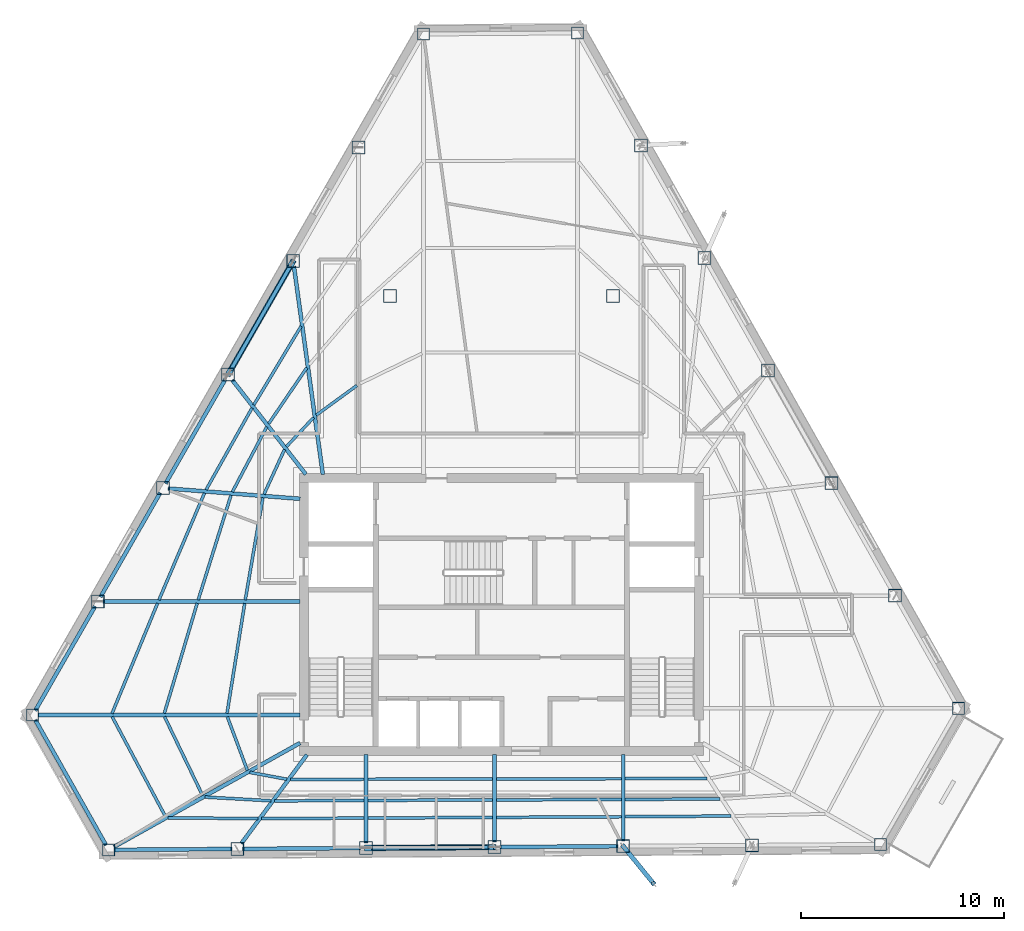
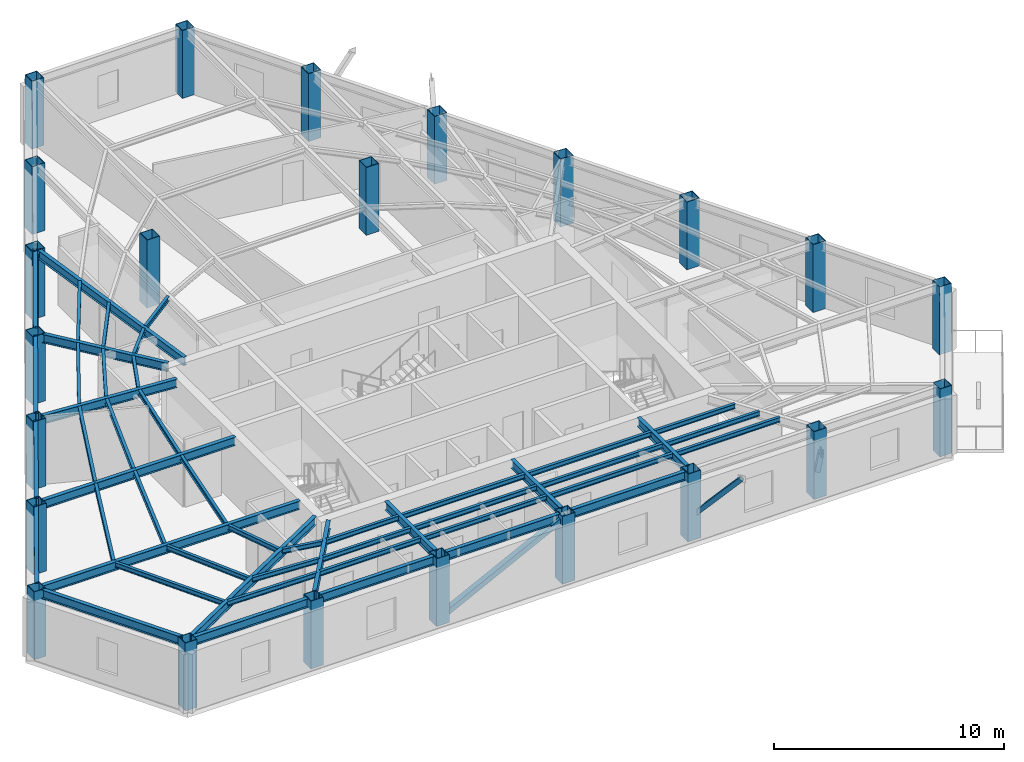
# One storey, part 1 of 12: 50 beams, 23 columns, 3 members.
"""IFC4 building model written with IfcOpenShell, lengths in metres."""

from ifc_helpers import new_model, si_unit, direction, frame, origin, origin_2d, place, context, subcontext, project, spatial, hollow_rectangle, i_section, extrude, material, material_profile, profile_set, type_object, element, save


model = new_model("IFC4")

# Units and contexts
model_context = context("Model", 3, precision=1e-05, world=origin(), true_north=direction((0.0, 1.0)))
body_context = subcontext(model_context, "Body", "Model", "MODEL_VIEW")
ifc_project = project(units=[si_unit("LENGTHUNIT", "METRE"), si_unit("AREAUNIT", "SQUARE_METRE"), si_unit("VOLUMEUNIT", "CUBIC_METRE"), si_unit("PLANEANGLEUNIT", "RADIAN"), si_unit("MASSUNIT", "GRAM", prefix="KILO")], contexts=[model_context])

# Site, building, storey
site_placement = place(None, origin())
site = spatial("IfcSite", under=ifc_project, at=site_placement, CompositionType="ELEMENT")
building_placement = place(site_placement, origin())
building = spatial("IfcBuilding", under=site, at=building_placement, Name="Kavelnor Concourse Tower", CompositionType="ELEMENT")
storey_placement = place(building_placement, frame((0.0, 0.0, 226.60009765625)))
storey = spatial("IfcBuildingStorey", under=building, at=storey_placement, Name="L57", CompositionType="ELEMENT", Elevation=226.60009765625)

# Columns
ifc_material = material(Name="Steel Grade 350", Category="steel")
ifc_material_profile_1 = material_profile(ifc_material, hollow_rectangle(XDim=0.60009765625, YDim=0.60009765625, WallThickness=0.028076171875, at=origin_2d()), Name="SHS 600x600x28")
ifc_profile_set_1 = profile_set([ifc_material_profile_1], Name="Steel Grade 350")
column_type_1 = type_object("IfcColumnType", Name="COL-FOLD-Z3", PredefinedType="COLUMN", material=ifc_profile_set_1)
for number, where, z_axis, x_axis, name in (
    (1, (34.156982421875, 44.70458984375, 0.0), (0.0, 0.0, 1.0), (1.0, 0.0, 0.0), "L57 Perimeter Corner-Fold Column F0-B0"),
    (2, (14.894287109375, 11.141357421875, 0.0), (0.0, 0.0, 1.0), (1.0, 0.0, 0.0), "L57 Perimeter Corner-Fold Column F0-B6"),
    (3, (18.642333984375, 4.50146484375, 0.0), (0.0, 0.0, 1.0), (1.0, 0.0, 0.0), "L57 Perimeter Corner-Fold Column F1-B0"),
    (4, (56.677978515625, 4.773193359375, 0.0), (0.0, 0.0, 1.0), (1.0, 0.0, 0.0), "L57 Perimeter Corner-Fold Column F1-B6"),
    (5, (60.527099609375, 11.4794921875, 0.0), (0.0, 0.0, 1.0), (1.0, 0.0, 0.0), "L57 Perimeter Corner-Fold Column F2-B0"),
    (6, (41.7421875, 44.7587890625, 0.0), (0.0, 0.0, 1.0), (1.0, 0.0, 0.0), "L57 Perimeter Corner-Fold Column F2-B6"),
):
    element("IfcColumn", number, at=place(storey_placement, frame(where, z_axis=z_axis, x_axis=x_axis)), inside=storey, type_object=column_type_1, Name=name, PredefinedType="COLUMN", context=body_context, shape_type="SweptSolid", body=[
        extrude(hollow_rectangle(XDim=0.60009765625, YDim=0.60009765625, WallThickness=0.028076171875, at=origin_2d()), origin(), (0.0, 0.0, 1.0), 3.599853515625),
    ])
ifc_material_profile_2 = material_profile(ifc_material, hollow_rectangle(XDim=0.639892578125, YDim=0.639892578125, WallThickness=0.028076171875, at=origin_2d()), Name="SHS 640x640x28")
ifc_profile_set_2 = profile_set([ifc_material_profile_2], Name="Steel Grade 350")
column_type_2 = type_object("IfcColumnType", Name="COL-TUBE-Z3", PredefinedType="COLUMN", material=ifc_profile_set_2)
for number, where, z_axis, x_axis, name in (
    (7, (30.946533203125, 39.110595703125, 0.0), (0.0, 0.0, 1.0), (1.0, 0.0, 0.0), "L57 Perimeter Framed-Tube Column F0-B1"),
    (8, (27.736083984375, 33.516845703125, 0.0), (0.0, 0.0, 1.0), (1.0, 0.0, 0.0), "L57 Perimeter Framed-Tube Column F0-B2"),
    (9, (24.525634765625, 27.923095703125, 0.0), (0.0, 0.0, 1.0), (1.0, 0.0, 0.0), "L57 Perimeter Framed-Tube Column F0-B3"),
    (10, (21.315185546875, 22.3291015625, 0.0), (0.0, 0.0, 1.0), (1.0, 0.0, 0.0), "L57 Perimeter Framed-Tube Column F0-B4"),
    (11, (18.104736328125, 16.735107421875, 0.0), (0.0, 0.0, 1.0), (1.0, 0.0, 0.0), "L57 Perimeter Framed-Tube Column F0-B5"),
    (12, (24.981689453125, 4.546630859375, 0.0), (0.0, 0.0, 1.0), (1.0, 0.0, 0.0), "L57 Perimeter Framed-Tube Column F1-B1"),
    (13, (31.321044921875, 4.592041015625, 0.0), (0.0, 0.0, 1.0), (1.0, 0.0, 0.0), "L57 Perimeter Framed-Tube Column F1-B2"),
    (14, (37.660400390625, 4.63720703125, 0.0), (0.0, 0.0, 1.0), (1.0, 0.0, 0.0), "L57 Perimeter Framed-Tube Column F1-B3"),
    (15, (43.99951171875, 4.6826171875, 0.0), (0.0, 0.0, 1.0), (1.0, 0.0, 0.0), "L57 Perimeter Framed-Tube Column F1-B4"),
    (16, (50.3388671875, 4.72802734375, 0.0), (0.0, 0.0, 1.0), (1.0, 0.0, 0.0), "L57 Perimeter Framed-Tube Column F1-B5"),
    (17, (57.396240234375, 17.02587890625, 0.0), (0.0, 0.0, 1.0), (1.0, 0.0, 0.0), "L57 Perimeter Framed-Tube Column F2-B1"),
    (18, (54.265380859375, 22.572509765625, 0.0), (0.0, 0.0, 1.0), (1.0, 0.0, 0.0), "L57 Perimeter Framed-Tube Column F2-B2"),
    (19, (51.134521484375, 28.119140625, 0.0), (0.0, 0.0, 1.0), (1.0, 0.0, 0.0), "L57 Perimeter Framed-Tube Column F2-B3"),
    (20, (48.003662109375, 33.66552734375, 0.0), (0.0, 0.0, 1.0), (1.0, 0.0, 0.0), "L57 Perimeter Framed-Tube Column F2-B4"),
    (21, (44.872802734375, 39.212158203125, 0.0), (0.0, 0.0, 1.0), (1.0, 0.0, 0.0), "L57 Perimeter Framed-Tube Column F2-B5"),
    (22, (32.5, 31.800048828125, 0.0), (0.0, 0.0, 1.0), (1.0, 0.0, 0.0), "L57 North Interior Gravity Column BC-NW"),
    (23, (43.5, 31.800048828125, 0.0), (0.0, 0.0, 1.0), (1.0, 0.0, 0.0), "L57 North Interior Gravity Column BC-NE"),
):
    element("IfcColumn", number, at=place(storey_placement, frame(where, z_axis=z_axis, x_axis=x_axis)), inside=storey, type_object=column_type_2, Name=name, PredefinedType="COLUMN", context=body_context, shape_type="SweptSolid", body=[
        extrude(hollow_rectangle(XDim=0.639892578125, YDim=0.639892578125, WallThickness=0.028076171875, at=origin_2d()), origin(), (0.0, 0.0, 1.0), 3.599853515625),
    ])

# Beams
ifc_material_profile_3 = material_profile(ifc_material, i_section(OverallWidth=0.14599609375, OverallDepth=0.256103515625, WebThickness=0.00634765625, FlangeThickness=0.010986328125, at=origin_2d()), Name="250UB37")
ifc_profile_set_3 = profile_set([ifc_material_profile_3], Name="Steel Grade 350")
beam_type_1 = type_object("IfcBeamType", Name="BM-JOIST-250", PredefinedType="JOIST", material=ifc_profile_set_3)
beam_1_placement = place(storey_placement, frame((24.491943359375, 11.05810546875, 3.471923828125), z_axis=(0.349792724531, -0.936827118451, 0.0), x_axis=(0.936827118451, 0.349792724531, 0.0)))
element("IfcBeam", 24, at=beam_1_placement, inside=storey, type_object=beam_type_1, Name="L57 Secondary Composite Joist 01-1", PredefinedType="JOIST", context=body_context, shape_type="SweptSolid", body=[
    extrude(i_section(OverallWidth=0.14599609375, OverallDepth=0.256103515625, WebThickness=0.00634765625, FlangeThickness=0.010986328125, at=origin_2d()), origin(), (0.0, 0.0, 1.0), 2.815673828125),
])
beam_2_placement = place(storey_placement, frame((21.3974609375, 11.061279296875, 3.471923828125), z_axis=(0.435072812157, -0.900395273267, 0.0), x_axis=(0.900395273267, 0.435072812157, 0.0)))
element("IfcBeam", 25, at=beam_2_placement, inside=storey, type_object=beam_type_1, Name="L57 Secondary Composite Joist 01-2", PredefinedType="JOIST", context=body_context, shape_type="SweptSolid", body=[
    extrude(i_section(OverallWidth=0.14599609375, OverallDepth=0.256103515625, WebThickness=0.00634765625, FlangeThickness=0.010986328125, at=origin_2d()), origin(), (0.0, 0.0, 1.0), 4.3017578125),
])
beam_3_placement = place(storey_placement, frame((18.8154296875, 11.06298828125, 3.471923828125), z_axis=(0.471062562774, -0.882099802717, 0.0), x_axis=(0.882099802717, 0.471062562774, 0.0)))
element("IfcBeam", 26, at=beam_3_placement, inside=storey, type_object=beam_type_1, Name="L57 Secondary Composite Joist 01-3", PredefinedType="JOIST", context=body_context, shape_type="SweptSolid", body=[
    extrude(i_section(OverallWidth=0.14599609375, OverallDepth=0.256103515625, WebThickness=0.00634765625, FlangeThickness=0.010986328125, at=origin_2d()), origin(), (0.0, 0.0, 1.0), 5.555908203125),
])
beam_4_placement = place(storey_placement, frame((25.595458984375, 8.32080078125, 3.471923828125), z_axis=(0.983268919881, -0.182159905569, 0.0), x_axis=(0.182159905569, 0.983268919881, 0.0)))
element("IfcBeam", 27, at=beam_4_placement, inside=storey, type_object=beam_type_1, Name="L57 Secondary Composite Joist 02-1", PredefinedType="JOIST", context=body_context, shape_type="SweptSolid", body=[
    extrude(i_section(OverallWidth=0.14599609375, OverallDepth=0.256103515625, WebThickness=0.00634765625, FlangeThickness=0.010986328125, at=origin_2d()), origin(), (0.0, 0.0, 1.0), 1.856201171875),
])
beam_5_placement = place(storey_placement, frame((23.396728515625, 7.102783203125, 3.471923828125), z_axis=(0.998434370328, -0.05593575018, 0.0), x_axis=(0.05593575018, 0.998434370328, 0.0)))
element("IfcBeam", 28, at=beam_5_placement, inside=storey, type_object=beam_type_1, Name="L57 Secondary Composite Joist 02-2", PredefinedType="JOIST", context=body_context, shape_type="SweptSolid", body=[
    extrude(i_section(OverallWidth=0.14599609375, OverallDepth=0.256103515625, WebThickness=0.00634765625, FlangeThickness=0.010986328125, at=origin_2d()), origin(), (0.0, 0.0, 1.0), 3.251708984375),
])
beam_6_placement = place(storey_placement, frame((21.5634765625, 6.082763671875, 3.471923828125), z_axis=(0.999955650065, -0.009417956387, 0.0), x_axis=(0.009417956387, 0.999955650065, 0.0)))
element("IfcBeam", 29, at=beam_6_placement, inside=storey, type_object=beam_type_1, Name="L57 Secondary Composite Joist 02-3", PredefinedType="JOIST", context=body_context, shape_type="SweptSolid", body=[
    extrude(i_section(OverallWidth=0.14599609375, OverallDepth=0.256103515625, WebThickness=0.00634765625, FlangeThickness=0.010986328125, at=origin_2d()), origin(), (0.0, 0.0, 1.0), 4.432861328125),
])
beam_7_placement = place(storey_placement, frame((27.59716796875, 7.966796875, 3.471923828125), z_axis=(0.999991046918, 0.00423155803, 0.0), x_axis=(-0.00423155803, 0.999991046918, 0.0)))
element("IfcBeam", 30, at=beam_7_placement, inside=storey, type_object=beam_type_1, Name="L57 Secondary Composite Joist 03-1", PredefinedType="JOIST", context=body_context, shape_type="SweptSolid", body=[
    extrude(i_section(OverallWidth=0.14599609375, OverallDepth=0.256103515625, WebThickness=0.00634765625, FlangeThickness=0.010986328125, at=origin_2d()), origin(), (0.0, 0.0, 1.0), 3.634765625),
])
beam_8_placement = place(storey_placement, frame((26.821044921875, 6.916259765625, 3.471923828125), z_axis=(0.999987035221, 0.005092090953, 0.0), x_axis=(-0.005092090953, 0.999987035221, 0.0)))
element("IfcBeam", 31, at=beam_8_placement, inside=storey, type_object=beam_type_1, Name="L57 Secondary Composite Joist 03-2", PredefinedType="JOIST", context=body_context, shape_type="SweptSolid", body=[
    extrude(i_section(OverallWidth=0.14599609375, OverallDepth=0.256103515625, WebThickness=0.00634765625, FlangeThickness=0.010986328125, at=origin_2d()), origin(), (0.0, 0.0, 1.0), 4.410888671875),
])
beam_9_placement = place(storey_placement, frame((26.17431640625, 6.040771484375, 3.471923828125), z_axis=(0.999984592086, 0.00555117919, 0.0), x_axis=(-0.00555117919, 0.999984592086, 0.0)))
element("IfcBeam", 32, at=beam_9_placement, inside=storey, type_object=beam_type_1, Name="L57 Secondary Composite Joist 03-3", PredefinedType="JOIST", context=body_context, shape_type="SweptSolid", body=[
    extrude(i_section(OverallWidth=0.14599609375, OverallDepth=0.256103515625, WebThickness=0.00634765625, FlangeThickness=0.010986328125, at=origin_2d()), origin(), (0.0, 0.0, 1.0), 5.0576171875),
])
for number, where, z_axis, x_axis, name in (
    (33, (31.409912109375, 7.982666015625, 3.471923828125), (0.999997958104, 0.002020838288, 0.0), (-0.002020838288, 0.999997958104, 0.0), "L57 Secondary Composite Joist 04-1"),
    (34, (31.409912109375, 6.939453125, 3.471923828125), (0.999993063415, 0.003724664103, 0.0), (-0.003724664103, 0.999993063415, 0.0), "L57 Secondary Composite Joist 04-2"),
    (35, (31.409912109375, 6.06982421875, 3.471923828125), (0.999986733004, 0.005151098597, 0.0), (-0.005151098597, 0.999986733004, 0.0), "L57 Secondary Composite Joist 04-3"),
):
    element("IfcBeam", number, at=place(storey_placement, frame(where, z_axis=z_axis, x_axis=x_axis)), inside=storey, type_object=beam_type_1, Name=name, PredefinedType="JOIST", context=body_context, shape_type="SweptSolid", body=[
        extrude(i_section(OverallWidth=0.14599609375, OverallDepth=0.256103515625, WebThickness=0.00634765625, FlangeThickness=0.010986328125, at=origin_2d()), origin(), (0.0, 0.0, 1.0), 6.161376953125),
    ])
for number, where, z_axis, x_axis, name in (
    (36, (37.749267578125, 7.995361328125, 3.471923828125), (0.999997957942, 0.002020918365, 0.0), (-0.002020918365, 0.999997957942, 0.0), "L57 Secondary Composite Joist 05-1"),
    (37, (37.749267578125, 6.962890625, 3.471923828125), (0.999993062865, 0.003724811694, 0.0), (-0.003724811694, 0.999993062865, 0.0), "L57 Secondary Composite Joist 05-2"),
    (38, (37.749267578125, 6.1025390625, 3.471923828125), (0.999986731952, 0.005151302709, 0.0), (-0.005151302709, 0.999986731952, 0.0), "L57 Secondary Composite Joist 05-3"),
):
    element("IfcBeam", number, at=place(storey_placement, frame(where, z_axis=z_axis, x_axis=x_axis)), inside=storey, type_object=beam_type_1, Name=name, PredefinedType="JOIST", context=body_context, shape_type="SweptSolid", body=[
        extrude(i_section(OverallWidth=0.14599609375, OverallDepth=0.256103515625, WebThickness=0.00634765625, FlangeThickness=0.010986328125, at=origin_2d()), origin(), (0.0, 0.0, 1.0), 6.1611328125),
    ])
beam_10_placement = place(storey_placement, frame((44.08837890625, 8.00830078125, 3.471923828125), z_axis=(0.999997365628, 0.002295372993, 0.0), x_axis=(-0.002295372993, 0.999997365628, 0.0)))
element("IfcBeam", 39, at=beam_10_placement, inside=storey, type_object=beam_type_1, Name="L57 Secondary Composite Joist 06-1", PredefinedType="JOIST", context=body_context, shape_type="SweptSolid", body=[
    extrude(i_section(OverallWidth=0.14599609375, OverallDepth=0.256103515625, WebThickness=0.00634765625, FlangeThickness=0.010986328125, at=origin_2d()), origin(), (0.0, 0.0, 1.0), 4.041748046875),
])
beam_11_placement = place(storey_placement, frame((44.08837890625, 6.986572265625, 3.471923828125), z_axis=(0.999988034327, 0.004891952913, 0.0), x_axis=(-0.004891952913, 0.999988034327, 0.0)))
element("IfcBeam", 40, at=beam_11_placement, inside=storey, type_object=beam_type_1, Name="L57 Secondary Composite Joist 06-2", PredefinedType="JOIST", context=body_context, shape_type="SweptSolid", body=[
    extrude(i_section(OverallWidth=0.14599609375, OverallDepth=0.256103515625, WebThickness=0.00634765625, FlangeThickness=0.010986328125, at=origin_2d()), origin(), (0.0, 0.0, 1.0), 4.691162109375),
])
beam_12_placement = place(storey_placement, frame((44.08837890625, 6.13525390625, 3.471923828125), z_axis=(0.999978359428, 0.006578804996, 0.0), x_axis=(-0.006578804996, 0.999978359428, 0.0)))
element("IfcBeam", 41, at=beam_12_placement, inside=storey, type_object=beam_type_1, Name="L57 Secondary Composite Joist 06-3", PredefinedType="JOIST", context=body_context, shape_type="SweptSolid", body=[
    extrude(i_section(OverallWidth=0.14599609375, OverallDepth=0.256103515625, WebThickness=0.00634765625, FlangeThickness=0.010986328125, at=origin_2d()), origin(), (0.0, 0.0, 1.0), 5.232421875),
])
beam_13_placement = place(storey_placement, frame((30.874755859375, 27.3857421875, 3.471923828125), z_axis=(-0.807904979379, -0.589312772893, 0.0), x_axis=(0.589312772893, -0.807904979379, 0.0)))
element("IfcBeam", 42, at=beam_13_placement, inside=storey, type_object=beam_type_1, Name="L57 Secondary Composite Joist 17-1", PredefinedType="JOIST", context=body_context, shape_type="SweptSolid", body=[
    extrude(i_section(OverallWidth=0.14599609375, OverallDepth=0.256103515625, WebThickness=0.00634765625, FlangeThickness=0.010986328125, at=origin_2d()), origin(), (0.0, 0.0, 1.0), 2.4794921875),
])
beam_14_placement = place(storey_placement, frame((28.739013671875, 25.806884765625, 3.471923828125), z_axis=(-0.681460001216, -0.731855359168, 0.0), x_axis=(0.731855359168, -0.681460001216, 0.0)))
element("IfcBeam", 43, at=beam_14_placement, inside=storey, type_object=beam_type_1, Name="L57 Secondary Composite Joist 18-1", PredefinedType="JOIST", context=body_context, shape_type="SweptSolid", body=[
    extrude(i_section(OverallWidth=0.14599609375, OverallDepth=0.256103515625, WebThickness=0.00634765625, FlangeThickness=0.010986328125, at=origin_2d()), origin(), (0.0, 0.0, 1.0), 1.957275390625),
])
beam_15_placement = place(storey_placement, frame((28.406982421875, 28.260009765625, 3.471923828125), z_axis=(-0.563116943428, -0.826377218965, 0.0), x_axis=(0.826377218965, -0.563116943428, 0.0)))
element("IfcBeam", 44, at=beam_15_placement, inside=storey, type_object=beam_type_1, Name="L57 Secondary Composite Joist 18-2", PredefinedType="JOIST", context=body_context, shape_type="SweptSolid", body=[
    extrude(i_section(OverallWidth=0.14599609375, OverallDepth=0.256103515625, WebThickness=0.00634765625, FlangeThickness=0.010986328125, at=origin_2d()), origin(), (0.0, 0.0, 1.0), 3.34228515625),
])
beam_16_placement = place(storey_placement, frame((28.1259765625, 30.308349609375, 3.471923828125), z_axis=(-0.515027299674, -0.857173775025, 0.0), x_axis=(0.857173775025, -0.515027299674, 0.0)))
element("IfcBeam", 45, at=beam_16_placement, inside=storey, type_object=beam_type_1, Name="L57 Secondary Composite Joist 18-3", PredefinedType="JOIST", context=body_context, shape_type="SweptSolid", body=[
    extrude(i_section(OverallWidth=0.14599609375, OverallDepth=0.256103515625, WebThickness=0.00634765625, FlangeThickness=0.010986328125, at=origin_2d()), origin(), (0.0, 0.0, 1.0), 4.524658203125),
])
beam_17_placement = place(storey_placement, frame((27.307373046875, 24.228515625, 3.471923828125), z_axis=(-0.417084506336, -0.908867710162, 0.0), x_axis=(0.908867710162, -0.417084506336, 0.0)))
element("IfcBeam", 46, at=beam_17_placement, inside=storey, type_object=beam_type_1, Name="L57 Secondary Composite Joist 19-1", PredefinedType="JOIST", context=body_context, shape_type="SweptSolid", body=[
    extrude(i_section(OverallWidth=0.14599609375, OverallDepth=0.256103515625, WebThickness=0.00634765625, FlangeThickness=0.010986328125, at=origin_2d()), origin(), (0.0, 0.0, 1.0), 2.425048828125),
])
beam_18_placement = place(storey_placement, frame((26.43310546875, 25.345703125, 3.471923828125), z_axis=(-0.467612091685, -0.883933782424, 0.0), x_axis=(0.883933782424, -0.467612091685, 0.0)))
element("IfcBeam", 47, at=beam_18_placement, inside=storey, type_object=beam_type_1, Name="L57 Secondary Composite Joist 19-2", PredefinedType="JOIST", context=body_context, shape_type="SweptSolid", body=[
    extrude(i_section(OverallWidth=0.14599609375, OverallDepth=0.256103515625, WebThickness=0.00634765625, FlangeThickness=0.010986328125, at=origin_2d()), origin(), (0.0, 0.0, 1.0), 3.622314453125),
])
beam_19_placement = place(storey_placement, frame((25.706298828125, 26.27587890625, 3.471923828125), z_axis=(-0.489998049836, -0.871723529083, 0.0), x_axis=(0.871723529083, -0.489998049836, 0.0)))
element("IfcBeam", 48, at=beam_19_placement, inside=storey, type_object=beam_type_1, Name="L57 Secondary Composite Joist 19-3", PredefinedType="JOIST", context=body_context, shape_type="SweptSolid", body=[
    extrude(i_section(OverallWidth=0.14599609375, OverallDepth=0.256103515625, WebThickness=0.00634765625, FlangeThickness=0.010986328125, at=origin_2d()), origin(), (0.0, 0.0, 1.0), 4.624755859375),
])
beam_20_placement = place(storey_placement, frame((26.243408203125, 21.855712890625, 3.471923828125), z_axis=(-0.170039784334, -0.985437198275, 0.0), x_axis=(0.985437198275, -0.170039784334, 0.0)))
element("IfcBeam", 49, at=beam_20_placement, inside=storey, type_object=beam_type_1, Name="L57 Secondary Composite Joist 20-1", PredefinedType="JOIST", context=body_context, shape_type="SweptSolid", body=[
    extrude(i_section(OverallWidth=0.14599609375, OverallDepth=0.256103515625, WebThickness=0.00634765625, FlangeThickness=0.010986328125, at=origin_2d()), origin(), (0.0, 0.0, 1.0), 5.107177734375),
])
beam_21_placement = place(storey_placement, frame((24.6708984375, 21.980224609375, 3.471923828125), z_axis=(-0.29889192504, -0.954286967922, 0.0), x_axis=(0.954286967922, -0.29889192504, 0.0)))
element("IfcBeam", 50, at=beam_21_placement, inside=storey, type_object=beam_type_1, Name="L57 Secondary Composite Joist 20-2", PredefinedType="JOIST", context=body_context, shape_type="SweptSolid", body=[
    extrude(i_section(OverallWidth=0.14599609375, OverallDepth=0.256103515625, WebThickness=0.00634765625, FlangeThickness=0.010986328125, at=origin_2d()), origin(), (0.0, 0.0, 1.0), 5.4072265625),
])
beam_22_placement = place(storey_placement, frame((23.36181640625, 22.084716796875, 3.471923828125), z_axis=(-0.391617391251, -0.920128153504, 0.0), x_axis=(0.920128153504, -0.391617391251, 0.0)))
element("IfcBeam", 51, at=beam_22_placement, inside=storey, type_object=beam_type_1, Name="L57 Secondary Composite Joist 20-3", PredefinedType="JOIST", context=body_context, shape_type="SweptSolid", body=[
    extrude(i_section(OverallWidth=0.14599609375, OverallDepth=0.256103515625, WebThickness=0.00634765625, FlangeThickness=0.010986328125, at=origin_2d()), origin(), (0.0, 0.0, 1.0), 5.724853515625),
])
beam_23_placement = place(storey_placement, frame((25.345703125, 16.647216796875, 3.471923828125), z_axis=(-0.158653312284, -0.987334353956, 0.0), x_axis=(0.987334353956, -0.158653312284, 0.0)))
element("IfcBeam", 52, at=beam_23_placement, inside=storey, type_object=beam_type_1, Name="L57 Secondary Composite Joist 21-1", PredefinedType="JOIST", context=body_context, shape_type="SweptSolid", body=[
    extrude(i_section(OverallWidth=0.14599609375, OverallDepth=0.256103515625, WebThickness=0.00634765625, FlangeThickness=0.010986328125, at=origin_2d()), origin(), (0.0, 0.0, 1.0), 5.487548828125),
])
beam_24_placement = place(storey_placement, frame((23.002685546875, 16.64990234375, 3.471923828125), z_axis=(-0.286005967484, -0.958227836458, 0.0), x_axis=(0.958227836458, -0.286005967484, 0.0)))
element("IfcBeam", 53, at=beam_24_placement, inside=storey, type_object=beam_type_1, Name="L57 Secondary Composite Joist 21-2", PredefinedType="JOIST", context=body_context, shape_type="SweptSolid", body=[
    extrude(i_section(OverallWidth=0.14599609375, OverallDepth=0.256103515625, WebThickness=0.00634765625, FlangeThickness=0.010986328125, at=origin_2d()), origin(), (0.0, 0.0, 1.0), 5.659423828125),
])
beam_25_placement = place(storey_placement, frame((21.051025390625, 16.65283203125, 3.471923828125), z_axis=(-0.381892900199, -0.924206585552, 0.0), x_axis=(0.924206585552, -0.381892900199, 0.0)))
element("IfcBeam", 54, at=beam_25_placement, inside=storey, type_object=beam_type_1, Name="L57 Secondary Composite Joist 21-3", PredefinedType="JOIST", context=body_context, shape_type="SweptSolid", body=[
    extrude(i_section(OverallWidth=0.14599609375, OverallDepth=0.256103515625, WebThickness=0.00634765625, FlangeThickness=0.010986328125, at=origin_2d()), origin(), (0.0, 0.0, 1.0), 5.87451171875),
])
ifc_material_profile_4 = material_profile(ifc_material, i_section(OverallWidth=0.18994140625, OverallDepth=0.4541015625, WebThickness=0.008544921875, FlangeThickness=0.0126953125, at=origin_2d()), Name="460UB67")
ifc_profile_set_4 = profile_set([ifc_material_profile_4], Name="Steel Grade 350")
beam_type_2 = type_object("IfcBeamType", Name="BM-PRIMARY-460", PredefinedType="BEAM", material=ifc_profile_set_4)
beam_26_placement = place(storey_placement, frame((29.19921875, 23.00048828125, 3.372802734375), z_axis=(-0.137812534385, 0.990458330959, 0.0), x_axis=(-0.990458330959, -0.137812534385, 0.0)))
element("IfcBeam", 55, at=beam_26_placement, inside=storey, type_object=beam_type_2, Name="L57 Primary Floor Girder F0-B2", PredefinedType="BEAM", context=body_context, shape_type="SweptSolid", body=[
    extrude(i_section(OverallWidth=0.18994140625, OverallDepth=0.4541015625, WebThickness=0.008544921875, FlangeThickness=0.0126953125, at=origin_2d()), origin(), (0.0, 0.0, 1.0), 10.354736328125),
])
beam_27_placement = place(storey_placement, frame((28.359375, 23.008544921875, 3.372802734375), z_axis=(-0.615073014475, 0.788470155976, 0.0), x_axis=(-0.788470155976, -0.615073014475, 0.0)))
element("IfcBeam", 56, at=beam_27_placement, inside=storey, type_object=beam_type_2, Name="L57 Primary Floor Girder F0-B3", PredefinedType="BEAM", context=body_context, shape_type="SweptSolid", body=[
    extrude(i_section(OverallWidth=0.18994140625, OverallDepth=0.4541015625, WebThickness=0.008544921875, FlangeThickness=0.0126953125, at=origin_2d()), origin(), (0.0, 0.0, 1.0), 5.892333984375),
])
beam_28_placement = place(storey_placement, frame((28.079833984375, 21.801513671875, 3.372802734375), z_axis=(-0.99697203113, 0.077760974427, 0.0), x_axis=(-0.077760974427, -0.99697203113, 0.0)))
element("IfcBeam", 57, at=beam_28_placement, inside=storey, type_object=beam_type_2, Name="L57 Primary Floor Girder F0-B4", PredefinedType="BEAM", context=body_context, shape_type="SweptSolid", body=[
    extrude(i_section(OverallWidth=0.18994140625, OverallDepth=0.4541015625, WebThickness=0.008544921875, FlangeThickness=0.0126953125, at=origin_2d()), origin(), (0.0, 0.0, 1.0), 6.524169921875),
])
beam_29_placement = place(storey_placement, frame((28.080078125, 16.735107421875, 3.372802734375), z_axis=(-1.0, 0.0, 0.0), x_axis=(0.0, -1.0, 0.0)))
element("IfcBeam", 58, at=beam_29_placement, inside=storey, type_object=beam_type_2, Name="L57 Primary Floor Girder F0-B5", PredefinedType="BEAM", context=body_context, shape_type="SweptSolid", body=[
    extrude(i_section(OverallWidth=0.18994140625, OverallDepth=0.4541015625, WebThickness=0.008544921875, FlangeThickness=0.0126953125, at=origin_2d()), origin(), (0.0, 0.0, 1.0), 9.71533203125),
])
beam_30_placement = place(storey_placement, frame((28.080078125, 11.141357421875, 3.372802734375), z_axis=(-1.0, 0.0, 0.0), x_axis=(0.0, -1.0, 0.0)))
element("IfcBeam", 59, at=beam_30_placement, inside=storey, type_object=beam_type_2, Name="L57 Primary Floor Girder F0-B6", PredefinedType="BEAM", context=body_context, shape_type="SweptSolid", body=[
    extrude(i_section(OverallWidth=0.18994140625, OverallDepth=0.4541015625, WebThickness=0.008544921875, FlangeThickness=0.0126953125, at=origin_2d()), origin(), (0.0, 0.0, 1.0), 12.92578125),
])
beam_31_placement = place(storey_placement, frame((28.074951171875, 9.77099609375, 3.372802734375), z_axis=(-0.873001131186, -0.487718181891, 0.0), x_axis=(0.487718181891, -0.873001131186, 0.0)))
element("IfcBeam", 60, at=beam_31_placement, inside=storey, type_object=beam_type_2, Name="L57 Primary Floor Girder F1-B0", PredefinedType="BEAM", context=body_context, shape_type="SweptSolid", body=[
    extrude(i_section(OverallWidth=0.18994140625, OverallDepth=0.4541015625, WebThickness=0.008544921875, FlangeThickness=0.0126953125, at=origin_2d()), origin(), (0.0, 0.0, 1.0), 10.501220703125),
])
beam_32_placement = place(storey_placement, frame((28.413818359375, 9.192138671875, 3.372802734375), z_axis=(-0.594206905752, -0.804312223677, 0.0), x_axis=(0.804312223677, -0.594206905752, 0.0)))
element("IfcBeam", 61, at=beam_32_placement, inside=storey, type_object=beam_type_2, Name="L57 Primary Floor Girder F1-B1", PredefinedType="BEAM", context=body_context, shape_type="SweptSolid", body=[
    extrude(i_section(OverallWidth=0.18994140625, OverallDepth=0.4541015625, WebThickness=0.008544921875, FlangeThickness=0.0126953125, at=origin_2d()), origin(), (0.0, 0.0, 1.0), 5.44287109375),
])
beam_33_placement = place(storey_placement, frame((31.321044921875, 9.199951171875, 3.372802734375), z_axis=(0.0, -1.0, 0.0), x_axis=(1.0, 0.0, 0.0)))
element("IfcBeam", 62, at=beam_33_placement, inside=storey, type_object=beam_type_2, Name="L57 Primary Floor Girder F1-B2", PredefinedType="BEAM", context=body_context, shape_type="SweptSolid", body=[
    extrude(i_section(OverallWidth=0.18994140625, OverallDepth=0.4541015625, WebThickness=0.008544921875, FlangeThickness=0.0126953125, at=origin_2d()), origin(), (0.0, 0.0, 1.0), 4.347900390625),
])
beam_34_placement = place(storey_placement, frame((37.660400390625, 9.199951171875, 3.372802734375), z_axis=(0.0, -1.0, 0.0), x_axis=(1.0, 0.0, 0.0)))
element("IfcBeam", 63, at=beam_34_placement, inside=storey, type_object=beam_type_2, Name="L57 Primary Floor Girder F1-B3", PredefinedType="BEAM", context=body_context, shape_type="SweptSolid", body=[
    extrude(i_section(OverallWidth=0.18994140625, OverallDepth=0.4541015625, WebThickness=0.008544921875, FlangeThickness=0.0126953125, at=origin_2d()), origin(), (0.0, 0.0, 1.0), 4.302734375),
])
beam_35_placement = place(storey_placement, frame((43.99951171875, 9.199951171875, 3.372802734375), z_axis=(0.0, -1.0, 0.0), x_axis=(1.0, 0.0, 0.0)))
element("IfcBeam", 64, at=beam_35_placement, inside=storey, type_object=beam_type_2, Name="L57 Primary Floor Girder F1-B4", PredefinedType="BEAM", context=body_context, shape_type="SweptSolid", body=[
    extrude(i_section(OverallWidth=0.18994140625, OverallDepth=0.4541015625, WebThickness=0.008544921875, FlangeThickness=0.0126953125, at=origin_2d()), origin(), (0.0, 0.0, 1.0), 4.25732421875),
])
ifc_material_profile_5 = material_profile(ifc_material, i_section(OverallWidth=0.19091796875, OverallDepth=0.4599609375, WebThickness=0.010009765625, FlangeThickness=0.01611328125, at=origin_2d()), Name="460UB82")
ifc_profile_set_5 = profile_set([ifc_material_profile_5], Name="Steel Grade 350")
beam_type_3 = type_object("IfcBeamType", Name="BM-SPANDREL-Z3", PredefinedType="SPANDREL", material=ifc_profile_set_5)
for number, where, z_axis, x_axis, name in (
    (65, (27.604248046875, 33.287109375, 3.369873046875), (-0.497750329988, -0.867320361226, 0.0), (0.867320361226, -0.497750329988, 0.0), "L57 Perimeter Tube Spandrel Beam F0-B2"),
    (66, (24.393798828125, 27.693115234375, 3.369873046875), (-0.497750329988, -0.867320361226, 0.0), (0.867320361226, -0.497750329988, 0.0), "L57 Perimeter Tube Spandrel Beam F0-B3"),
    (67, (21.183349609375, 22.099365234375, 3.369873046875), (-0.497750329988, -0.867320361226, 0.0), (0.867320361226, -0.497750329988, 0.0), "L57 Perimeter Tube Spandrel Beam F0-B4"),
    (68, (17.972900390625, 16.50537109375, 3.369873046875), (-0.497750329988, -0.867320361226, 0.0), (0.867320361226, -0.497750329988, 0.0), "L57 Perimeter Tube Spandrel Beam F0-B5"),
):
    element("IfcBeam", number, at=place(storey_placement, frame(where, z_axis=z_axis, x_axis=x_axis)), inside=storey, type_object=beam_type_3, Name=name, PredefinedType="SPANDREL", context=body_context, shape_type="SweptSolid", body=[
        extrude(i_section(OverallWidth=0.19091796875, OverallDepth=0.4599609375, WebThickness=0.010009765625, FlangeThickness=0.01611328125, at=origin_2d()), origin(), (0.0, 0.0, 1.0), 5.919677734375),
    ])
for number, where, z_axis, x_axis, name in (
    (69, (18.907470703125, 4.50341796875, 3.369873046875), (0.999974480051, 0.007144175735, 0.0), (-0.007144175735, 0.999974480051, 0.0), "L57 Perimeter Tube Spandrel Beam F1-B0"),
    (70, (25.24658203125, 4.548583984375, 3.369873046875), (0.999974480051, 0.007144175735, 0.0), (-0.007144175735, 0.999974480051, 0.0), "L57 Perimeter Tube Spandrel Beam F1-B1"),
    (71, (31.5859375, 4.593994140625, 3.369873046875), (0.999974480051, 0.007144175735, 0.0), (-0.007144175735, 0.999974480051, 0.0), "L57 Perimeter Tube Spandrel Beam F1-B2"),
    (72, (37.92529296875, 4.63916015625, 3.369873046875), (0.999974178945, 0.007186198134, 0.0), (-0.007186198134, 0.999974178945, 0.0), "L57 Perimeter Tube Spandrel Beam F1-B3"),
):
    element("IfcBeam", number, at=place(storey_placement, frame(where, z_axis=z_axis, x_axis=x_axis)), inside=storey, type_object=beam_type_3, Name=name, PredefinedType="SPANDREL", context=body_context, shape_type="SweptSolid", body=[
        extrude(i_section(OverallWidth=0.19091796875, OverallDepth=0.4599609375, WebThickness=0.010009765625, FlangeThickness=0.01611328125, at=origin_2d()), origin(), (0.0, 0.0, 1.0), 5.8095703125),
    ])
beam_36_placement = place(storey_placement, frame((15.024658203125, 10.91064453125, 3.369873046875), z_axis=(0.491562800998, -0.870842128445, 0.0), x_axis=(0.870842128445, 0.491562800998, 0.0)))
element("IfcBeam", 73, at=beam_36_placement, inside=storey, type_object=beam_type_3, Name="L57 Chamfer Facet Spandrel Beam C1", PredefinedType="SPANDREL", context=body_context, shape_type="SweptSolid", body=[
    extrude(i_section(OverallWidth=0.19091796875, OverallDepth=0.4599609375, WebThickness=0.010009765625, FlangeThickness=0.01611328125, at=origin_2d()), origin(), (0.0, 0.0, 1.0), 7.0947265625),
])

# Members
ifc_material_profile_6 = material_profile(ifc_material, hollow_rectangle(XDim=0.219970703125, YDim=0.219970703125, WallThickness=0.013916015625, at=origin_2d()), Name="SHS 220x220x14")
ifc_profile_set_6 = profile_set([ifc_material_profile_6], Name="Steel Grade 350")
member_type_1 = type_object("IfcMemberType", Name="MBR-BALC-STRUT-220", PredefinedType="STRUT", material=ifc_profile_set_6)
member_1_placement = place(storey_placement, frame((43.99951171875, 4.6826171875, 1.0498046875), z_axis=(0.423058323431, -0.521338987961, 0.741098721229), x_axis=(0.776499907824, 0.630117364583, 0.0)))
element("IfcMember", 74, at=member_1_placement, inside=storey, type_object=member_type_1, Name="L57 Tree Balcony Raking Knee Strut 1-A", PredefinedType="STRUT", context=body_context, shape_type="SweptSolid", body=[
    extrude(hollow_rectangle(XDim=0.219970703125, YDim=0.219970703125, WallThickness=0.013916015625, at=origin_2d()), origin(), (0.0, 0.0, 1.0), 3.51513671875),
])
ifc_material_profile_7 = material_profile(ifc_material, hollow_rectangle(XDim=0.280029296875, YDim=0.280029296875, WallThickness=0.01611328125, at=origin_2d()), Name="SHS 280x280x16")
ifc_profile_set_7 = profile_set([ifc_material_profile_7], Name="Steel Grade 350")
member_type_2 = type_object("IfcMemberType", Name="MBR-TUBE-DIAG-Z3", PredefinedType="BRACE", material=ifc_profile_set_7)
member_2_placement = place(storey_placement, frame((24.525634765625, 27.923095703125, 0.219970703125), z_axis=(0.447283090697, 0.779327009434, 0.438847637732), x_axis=(-0.867305151986, 0.497776830858, 0.0)))
element("IfcMember", 75, at=member_2_placement, inside=storey, type_object=member_type_2, Name="L57 Framed-Tube Bracing Diagonal F0-B2", PredefinedType="BRACE", context=body_context, shape_type="SweptSolid", body=[
    extrude(hollow_rectangle(XDim=0.280029296875, YDim=0.280029296875, WallThickness=0.01611328125, at=origin_2d()), origin(), (0.0, 0.0, 1.0), 7.177734375),
])
member_3_placement = place(storey_placement, frame((31.321044921875, 4.592041015625, 0.219970703125), z_axis=(0.895523614678, 0.00638033847, 0.444968253739), x_axis=(-0.00712452071, 0.99997462028, 0.0)))
element("IfcMember", 76, at=member_3_placement, inside=storey, type_object=member_type_2, Name="L57 Framed-Tube Bracing Diagonal F1-B2", PredefinedType="BRACE", context=body_context, shape_type="SweptSolid", body=[
    extrude(hollow_rectangle(XDim=0.280029296875, YDim=0.280029296875, WallThickness=0.01611328125, at=origin_2d()), origin(), (0.0, 0.0, 1.0), 7.078857421875),
])

save(model, "model.ifc")
